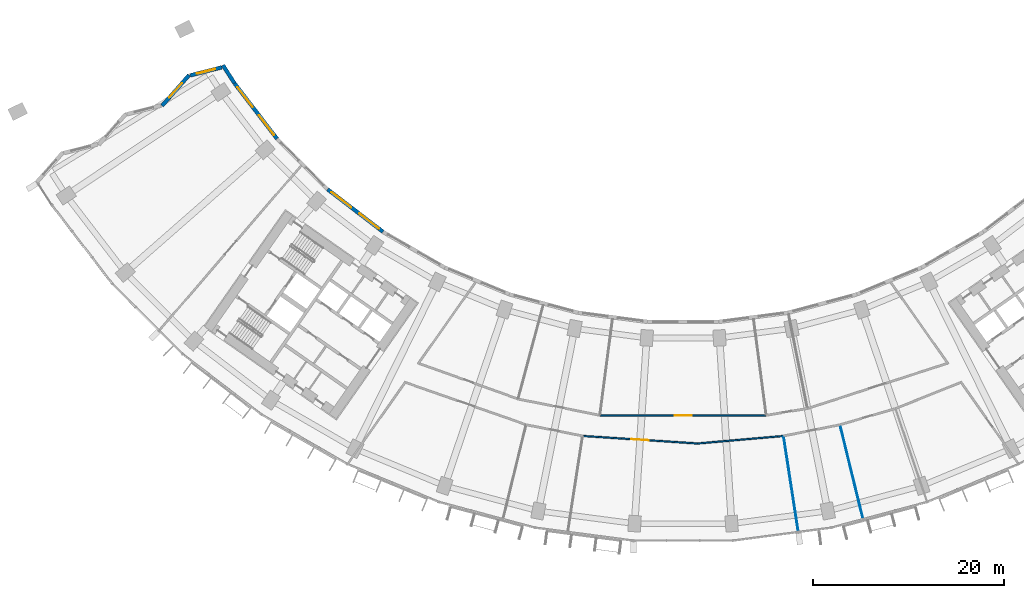
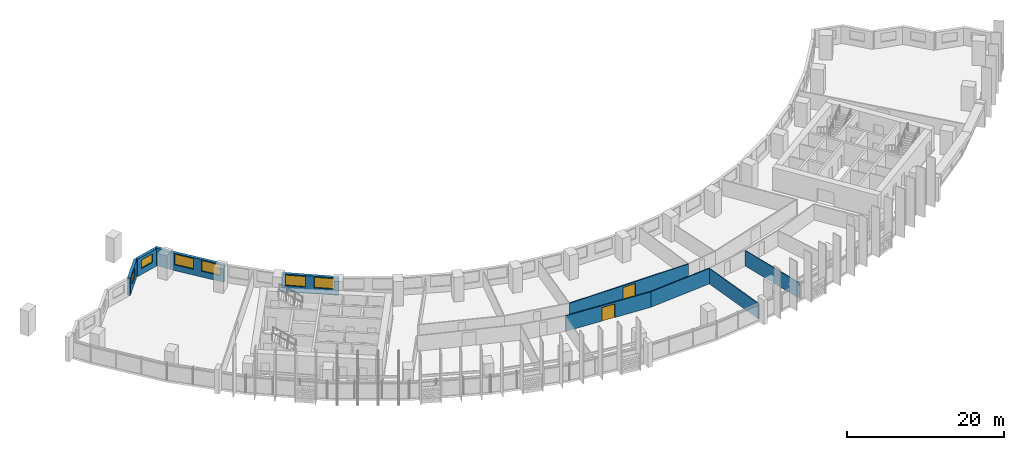
# One storey, part 5 of 32: 10 walls, 6 windows, 2 doors, 8 openings.
"""IFC4 building model written with IfcOpenShell, lengths in metres."""

from ifc_helpers import new_model, si_unit, direction, frame, frame_2d, origin, place, context, subcontext, project, spatial, rectangle, extrude, material, layer, layer_set, type_object, element, fill, save


model = new_model("IFC4")

# Units and contexts
model_context = context("Model", 3, precision=1e-05, world=origin(), true_north=direction((0.0, 1.0)))
body_context = subcontext(model_context, "Body", "Model", "MODEL_VIEW")
ifc_project = project(units=[si_unit("LENGTHUNIT", "METRE"), si_unit("AREAUNIT", "SQUARE_METRE"), si_unit("VOLUMEUNIT", "CUBIC_METRE"), si_unit("PLANEANGLEUNIT", "RADIAN"), si_unit("MASSUNIT", "GRAM", prefix="KILO")], contexts=[model_context])

# Site, building, storey
site_placement = place(None, origin())
site = spatial("IfcSite", under=ifc_project, at=site_placement, CompositionType="ELEMENT")
building_placement = place(site_placement, origin())
building = spatial("IfcBuilding", under=site, at=building_placement, Name="Qamariyya Broadcast Tower", CompositionType="ELEMENT")
storey_placement = place(building_placement, frame((0.0, 0.0, 70.89990234375)))
storey = spatial("IfcBuildingStorey", under=building, at=storey_placement, Name="L14", CompositionType="ELEMENT", Elevation=70.89990234375)

# Wall, opening, door
ifc_material_1 = material(Name="Gypsum board partition")
ifc_layer_1 = layer(ifc_material_1, 0.14990234375)
ifc_layer_set_1 = layer_set([ifc_layer_1], Name="Corridor partition 150 EI 60")
wall_type_1 = type_object("IfcWallType", Name="Corridor partition 150 EI 60", PredefinedType="PARTITIONING", material=ifc_layer_set_1)
wall_1_placement = place(storey_placement, frame((1.502685546875, -69.182861328125, 0.0), z_axis=(0.0, 0.0, 1.0), x_axis=(-0.997858985864, 0.065402173745, 0.0)))
wall_1 = element("IfcWall", 1, at=wall_1_placement, inside=storey, type_object=wall_type_1, Name="Partition L14-011", PredefinedType="PARTITIONING", context=body_context, shape_type="SweptSolid", body=[
    extrude(rectangle(XDim=12.057373046875, YDim=0.14990234375, at=frame_2d((6.02880859375, 0.0))), origin(), (0.0, 0.0, 1.0), 2.400146484375),
])
opening_1_placement = place(wall_1_placement, frame((5.128662109375, 0.0, 0.0)))
opening_1 = element("IfcOpeningElement", 2, at=opening_1_placement, cuts=wall_1, Name="Opening L14-D03", PredefinedType="OPENING", context=body_context, shape_type="SweptSolid", body=[
    extrude(rectangle(XDim=1.800048828125, YDim=2.10009765625, at=frame_2d((0.89990234375, 1.050048828125))), frame((0.0, 0.0849609375, 0.0), z_axis=(0.0, -1.0, 0.0), x_axis=(1.0, 0.0, 0.0)), (0.0, 0.0, 1.0), 0.169921875),
])
ifc_material_2 = material(Name="Timber fire door leaf", Category="wood")
door_type = type_object("IfcDoorType", Name="Double fire door 1800 x 2100 FD60", OperationType="NOTDEFINED", PredefinedType="DOOR", material=ifc_material_2)
door_1_placement = place(opening_1_placement, origin())
door_1 = element("IfcDoor", 3, at=door_1_placement, inside=storey, type_object=door_type, Name="Door L14-D03", OperationType="DOUBLE_DOOR_SINGLE_SWING", OverallHeight=2.10009765625, OverallWidth=1.800048828125, PredefinedType="DOOR", context=body_context, shape_type="SweptSolid", body=[
    extrude(rectangle(XDim=1.800048828125, YDim=2.10009765625, at=frame_2d((0.89990234375, 1.050048828125))), frame((0.0, 0.02490234375, 0.0), z_axis=(0.0, -1.0, 0.0), x_axis=(1.0, 0.0, 0.0)), (0.0, 0.0, 1.0), 0.050048828125),
])
fill(opening_1, door_1)

wall_2_placement = place(storey_placement, frame((-8.71923828125, -66.228515625, 0.0), z_axis=(0.0, 0.0, 1.0), x_axis=(1.0, 0.0, 0.0)))
wall_2 = element("IfcWall", 4, at=wall_2_placement, inside=storey, type_object=wall_type_1, Name="Partition L14-012", PredefinedType="PARTITIONING", context=body_context, shape_type="SweptSolid", body=[
    extrude(rectangle(XDim=17.4384765625, YDim=0.14990234375, at=frame_2d((8.71923828125, 0.0))), origin(), (0.0, 0.0, 1.0), 2.400146484375),
])
opening_2_placement = place(wall_2_placement, frame((7.819091796875, 0.0, 0.0)))
opening_2 = element("IfcOpeningElement", 5, at=opening_2_placement, cuts=wall_2, Name="Opening L14-D09", PredefinedType="OPENING", context=body_context, shape_type="SweptSolid", body=[
    extrude(rectangle(XDim=1.800048828125, YDim=2.10009765625, at=frame_2d((0.89990234375, 1.050048828125))), frame((0.0, 0.0849609375, 0.0), z_axis=(0.0, -1.0, 0.0), x_axis=(1.0, 0.0, 0.0)), (0.0, 0.0, 1.0), 0.169921875),
])
door_2_placement = place(opening_2_placement, origin())
door_2 = element("IfcDoor", 6, at=door_2_placement, inside=storey, type_object=door_type, Name="Door L14-D09", OperationType="DOUBLE_DOOR_SINGLE_SWING", OverallHeight=2.10009765625, OverallWidth=1.800048828125, PredefinedType="DOOR", context=body_context, shape_type="SweptSolid", body=[
    extrude(rectangle(XDim=1.800048828125, YDim=2.10009765625, at=frame_2d((0.89990234375, 1.050048828125))), frame((0.0, 0.02490234375, 0.0), z_axis=(0.0, -1.0, 0.0), x_axis=(1.0, 0.0, 0.0)), (0.0, 0.0, 1.0), 0.050048828125),
])
fill(opening_2, door_2)

# Walls
wall_3_placement = place(storey_placement, frame((1.520263671875, -69.1826171875, 0.0), z_axis=(0.0, 0.0, 1.0), x_axis=(0.996192926233, 0.087175992813, 0.0)))
element("IfcWall", 7, at=wall_3_placement, inside=storey, type_object=wall_type_1, Name="Partition L14-014", PredefinedType="PARTITIONING", context=body_context, shape_type="SweptSolid", body=[
    extrude(rectangle(XDim=9.04296875, YDim=0.14990234375, at=frame_2d((4.521484375, 0.0))), origin(), (0.0, 0.0, 1.0), 2.400146484375),
])
ifc_layer_2 = layer(ifc_material_1, 0.10009765625)
ifc_layer_set_2 = layer_set([ifc_layer_2], Name="Partition 100")
wall_type_2 = type_object("IfcWallType", Name="Partition 100", PredefinedType="PARTITIONING", material=ifc_layer_set_2)
wall_4_placement = place(storey_placement, frame((12.0654296875, -78.375244140625, 0.0), z_axis=(0.0, 0.0, 1.0), x_axis=(-0.152157849461, 0.988356205448, 0.0)))
element("IfcWall", 8, at=wall_4_placement, inside=storey, type_object=wall_type_2, Name="Partition L14-019", PredefinedType="PARTITIONING", context=body_context, shape_type="SweptSolid", body=[
    extrude(rectangle(XDim=10.0234375, YDim=0.10009765625, at=frame_2d((5.01171875, 0.0))), origin(), (0.0, 0.0, 1.0), 2.400146484375),
])
wall_5_placement = place(storey_placement, frame((18.845947265625, -77.0263671875, 0.0), z_axis=(0.0, 0.0, 1.0), x_axis=(-0.237655344985, 0.971349544191, 0.0)))
element("IfcWall", 9, at=wall_5_placement, inside=storey, type_object=wall_type_2, Name="Partition L14-022", PredefinedType="PARTITIONING", context=body_context, shape_type="SweptSolid", body=[
    extrude(rectangle(XDim=10.023193359375, YDim=0.10009765625, at=frame_2d((5.01171875, 0.0))), origin(), (0.0, 0.0, 1.0), 2.400146484375),
])

# Wall, opening, window
ifc_material_3 = material(Name="Terracotta", Category="masonry")
ifc_layer_3 = layer(ifc_material_3, 0.39990234375)
ifc_layer_set_3 = layer_set([ifc_layer_3], Name="Terracotta clad wall 400")
wall_type_3 = type_object("IfcWallType", Name="Terracotta clad wall 400", PredefinedType="SOLIDWALL", material=ifc_layer_set_3)
wall_6_placement = place(storey_placement, frame((-48.3583984375, -29.7666015625, 0.0), z_axis=(0.0, 0.0, 1.0), x_axis=(-0.968937517371, -0.247305655881, 0.0)))
wall_6 = element("IfcWall", 10, at=wall_6_placement, inside=storey, type_object=wall_type_3, Name="e-wl-L14-capW0", PredefinedType="SOLIDWALL", context=body_context, shape_type="SweptSolid", body=[
    extrude(rectangle(XDim=3.39404296875, YDim=0.39990234375, at=frame_2d((1.697021484375, 0.0))), origin(), (0.0, 0.0, 1.0), 2.7001953125),
])
opening_3_placement = place(wall_6_placement, frame((0.697021484375, 0.0, 0.89990234375)))
opening_3 = element("IfcOpeningElement", 11, at=opening_3_placement, cuts=wall_6, Name="Opening W4", PredefinedType="OPENING", context=body_context, shape_type="SweptSolid", body=[
    extrude(rectangle(XDim=2.0, YDim=1.35009765625, at=frame_2d((1.0, 0.675048828125))), frame((0.0, 0.2099609375, 0.0), z_axis=(0.0, -1.0, 0.0), x_axis=(1.0, 0.0, 0.0)), (0.0, 0.0, 1.0), 0.419921875),
])
ifc_material_4 = material(Name="Clear low-e double glazed unit in aluminium frame", Category="aluminium")
window_type_1 = type_object("IfcWindowType", Name="Horn bay window 2000 x 1350", PartitioningType="SINGLE_PANEL", PredefinedType="WINDOW", material=ifc_material_4)
window_1_placement = place(opening_3_placement, origin())
window_1 = element("IfcWindow", 12, at=window_1_placement, inside=storey, type_object=window_type_1, Name="e-w-L14-capW0", OverallHeight=1.35009765625, OverallWidth=2.0, PartitioningType="SINGLE_PANEL", PredefinedType="WINDOW", context=body_context, shape_type="SweptSolid", body=[
    extrude(rectangle(XDim=2.0, YDim=1.35009765625, at=frame_2d((1.0, 0.675048828125))), frame((0.0, 0.030029296875, 0.0), z_axis=(0.0, -1.0, 0.0), x_axis=(1.0, 0.0, 0.0)), (0.0, 0.0, 1.0), 0.06005859375),
])
fill(opening_3, window_1)

wall_7_placement = place(storey_placement, frame((-51.771484375, -30.57373046875, 0.0), z_axis=(0.0, 0.0, 1.0), x_axis=(-0.660510019044, -0.75081723125, 0.0)))
wall_7 = element("IfcWall", 13, at=wall_7_placement, inside=storey, type_object=wall_type_3, Name="e-wl-L14-capW1", PredefinedType="SOLIDWALL", context=body_context, shape_type="SweptSolid", body=[
    extrude(rectangle(XDim=4.295654296875, YDim=0.39990234375, at=frame_2d((2.14794921875, 0.0))), origin(), (0.0, 0.0, 1.0), 2.7001953125),
])
opening_4_placement = place(wall_7_placement, frame((1.14794921875, 0.0, 0.89990234375)))
opening_4 = element("IfcOpeningElement", 14, at=opening_4_placement, cuts=wall_7, Name="Opening W4", PredefinedType="OPENING", context=body_context, shape_type="SweptSolid", body=[
    extrude(rectangle(XDim=2.0, YDim=1.35009765625, at=frame_2d((1.0, 0.675048828125))), frame((0.0, 0.2099609375, 0.0), z_axis=(0.0, -1.0, 0.0), x_axis=(1.0, 0.0, 0.0)), (0.0, 0.0, 1.0), 0.419921875),
])
window_2_placement = place(opening_4_placement, origin())
window_2 = element("IfcWindow", 15, at=window_2_placement, inside=storey, type_object=window_type_1, Name="e-w-L14-capW1", OverallHeight=1.35009765625, OverallWidth=2.0, PartitioningType="SINGLE_PANEL", PredefinedType="WINDOW", context=body_context, shape_type="SweptSolid", body=[
    extrude(rectangle(XDim=2.0, YDim=1.35009765625, at=frame_2d((1.0, 0.675048828125))), frame((0.0, 0.030029296875, 0.0), z_axis=(0.0, -1.0, 0.0), x_axis=(1.0, 0.0, 0.0)), (0.0, 0.0, 1.0), 0.06005859375),
])
fill(opening_4, window_2)

# Wall
wall_8_placement = place(storey_placement, frame((-47.009033203125, -31.43408203125, 0.0), z_axis=(0.0, 0.0, 1.0), x_axis=(-0.539414935226, 0.842040098603, 0.0)))
element("IfcWall", 16, at=wall_8_placement, inside=storey, type_object=wall_type_3, Name="e-wl-L14-in00", PredefinedType="SOLIDWALL", context=body_context, shape_type="SweptSolid", body=[
    extrude(rectangle(XDim=2.24365234375, YDim=0.39990234375, at=frame_2d((1.121826171875, 0.0))), origin(), (0.0, 0.0, 1.0), 2.7001953125),
])

# Wall, openings, windows
wall_9_placement = place(storey_placement, frame((-42.5478515625, -37.24609375, 0.0), z_axis=(0.0, 0.0, 1.0), x_axis=(-0.608743506398, 0.793367092472, 0.0)))
wall_9 = element("IfcWall", 17, at=wall_9_placement, inside=storey, type_object=wall_type_3, Name="e-wl-L14-in10", PredefinedType="SOLIDWALL", context=body_context, shape_type="SweptSolid", body=[
    extrude(rectangle(XDim=7.31005859375, YDim=0.39990234375, at=frame_2d((3.655029296875, 0.0))), origin(), (0.0, 0.0, 1.0), 2.7001953125),
])
opening_5_placement = place(wall_9_placement, frame((4.190673828125, 0.0, 0.89990234375)))
opening_5 = element("IfcOpeningElement", 18, at=opening_5_placement, cuts=wall_9, Name="Opening W1", PredefinedType="OPENING", context=body_context, shape_type="SweptSolid", body=[
    extrude(rectangle(XDim=2.60009765625, YDim=1.64990234375, at=frame_2d((1.300048828125, 0.824951171875))), frame((0.0, 0.2099609375, 0.0), z_axis=(0.0, -1.0, 0.0), x_axis=(1.0, 0.0, 0.0)), (0.0, 0.0, 1.0), 0.419921875),
])
opening_6_placement = place(wall_9_placement, frame((0.505126953125, 0.0, 0.89990234375)))
opening_6 = element("IfcOpeningElement", 19, at=opening_6_placement, cuts=wall_9, Name="Opening W1", PredefinedType="OPENING", context=body_context, shape_type="SweptSolid", body=[
    extrude(rectangle(XDim=2.60009765625, YDim=1.64990234375, at=frame_2d((1.300048828125, 0.824951171875))), frame((0.0, 0.2099609375, 0.0), z_axis=(0.0, -1.0, 0.0), x_axis=(1.0, 0.0, 0.0)), (0.0, 0.0, 1.0), 0.419921875),
])
window_type_2 = type_object("IfcWindowType", Name="Ribbon window 2600 x 1650", PartitioningType="SINGLE_PANEL", PredefinedType="WINDOW", material=ifc_material_4)
window_3_placement = place(opening_5_placement, origin())
window_3 = element("IfcWindow", 20, at=window_3_placement, inside=storey, type_object=window_type_2, Name="e-w-L14-in01-0", OverallHeight=1.64990234375, OverallWidth=2.60009765625, PartitioningType="SINGLE_PANEL", PredefinedType="WINDOW", context=body_context, shape_type="SweptSolid", body=[
    extrude(rectangle(XDim=2.60009765625, YDim=1.64990234375, at=frame_2d((1.300048828125, 0.824951171875))), frame((0.0, 0.030029296875, 0.0), z_axis=(0.0, -1.0, 0.0), x_axis=(1.0, 0.0, 0.0)), (0.0, 0.0, 1.0), 0.06005859375),
])
fill(opening_5, window_3)
window_4_placement = place(opening_6_placement, origin())
window_4 = element("IfcWindow", 21, at=window_4_placement, inside=storey, type_object=window_type_2, Name="e-w-L14-in01-1", OverallHeight=1.64990234375, OverallWidth=2.60009765625, PartitioningType="SINGLE_PANEL", PredefinedType="WINDOW", context=body_context, shape_type="SweptSolid", body=[
    extrude(rectangle(XDim=2.60009765625, YDim=1.64990234375, at=frame_2d((1.300048828125, 0.824951171875))), frame((0.0, 0.030029296875, 0.0), z_axis=(0.0, -1.0, 0.0), x_axis=(1.0, 0.0, 0.0)), (0.0, 0.0, 1.0), 0.06005859375),
])
fill(opening_6, window_4)

wall_10_placement = place(storey_placement, frame((-31.4580078125, -46.989013671875, 0.0), z_axis=(0.0, 0.0, 1.0), x_axis=(-0.79336607943, 0.60874482668, 0.0)))
wall_10 = element("IfcWall", 22, at=wall_10_placement, inside=storey, type_object=wall_type_3, Name="e-wl-L14-in30", PredefinedType="SOLIDWALL", context=body_context, shape_type="SweptSolid", body=[
    extrude(rectangle(XDim=7.295654296875, YDim=0.39990234375, at=frame_2d((3.64794921875, 0.0))), origin(), (0.0, 0.0, 1.0), 2.7001953125),
])
opening_7_placement = place(wall_10_placement, frame((4.190673828125, 0.0, 0.89990234375)))
opening_7 = element("IfcOpeningElement", 23, at=opening_7_placement, cuts=wall_10, Name="Opening W1", PredefinedType="OPENING", context=body_context, shape_type="SweptSolid", body=[
    extrude(rectangle(XDim=2.60009765625, YDim=1.64990234375, at=frame_2d((1.300048828125, 0.824951171875))), frame((0.0, 0.2099609375, 0.0), z_axis=(0.0, -1.0, 0.0), x_axis=(1.0, 0.0, 0.0)), (0.0, 0.0, 1.0), 0.419921875),
])
opening_8_placement = place(wall_10_placement, frame((0.505126953125, 0.0, 0.89990234375)))
opening_8 = element("IfcOpeningElement", 24, at=opening_8_placement, cuts=wall_10, Name="Opening W1", PredefinedType="OPENING", context=body_context, shape_type="SweptSolid", body=[
    extrude(rectangle(XDim=2.60009765625, YDim=1.64990234375, at=frame_2d((1.300048828125, 0.824951171875))), frame((0.0, 0.2099609375, 0.0), z_axis=(0.0, -1.0, 0.0), x_axis=(1.0, 0.0, 0.0)), (0.0, 0.0, 1.0), 0.419921875),
])
window_5_placement = place(opening_7_placement, origin())
window_5 = element("IfcWindow", 25, at=window_5_placement, inside=storey, type_object=window_type_2, Name="e-w-L14-in03-0", OverallHeight=1.64990234375, OverallWidth=2.60009765625, PartitioningType="SINGLE_PANEL", PredefinedType="WINDOW", context=body_context, shape_type="SweptSolid", body=[
    extrude(rectangle(XDim=2.60009765625, YDim=1.64990234375, at=frame_2d((1.300048828125, 0.824951171875))), frame((0.0, 0.030029296875, 0.0), z_axis=(0.0, -1.0, 0.0), x_axis=(1.0, 0.0, 0.0)), (0.0, 0.0, 1.0), 0.06005859375),
])
fill(opening_7, window_5)
window_6_placement = place(opening_8_placement, origin())
window_6 = element("IfcWindow", 26, at=window_6_placement, inside=storey, type_object=window_type_2, Name="e-w-L14-in03-1", OverallHeight=1.64990234375, OverallWidth=2.60009765625, PartitioningType="SINGLE_PANEL", PredefinedType="WINDOW", context=body_context, shape_type="SweptSolid", body=[
    extrude(rectangle(XDim=2.60009765625, YDim=1.64990234375, at=frame_2d((1.300048828125, 0.824951171875))), frame((0.0, 0.030029296875, 0.0), z_axis=(0.0, -1.0, 0.0), x_axis=(1.0, 0.0, 0.0)), (0.0, 0.0, 1.0), 0.06005859375),
])
fill(opening_8, window_6)

save(model, "model.ifc")
